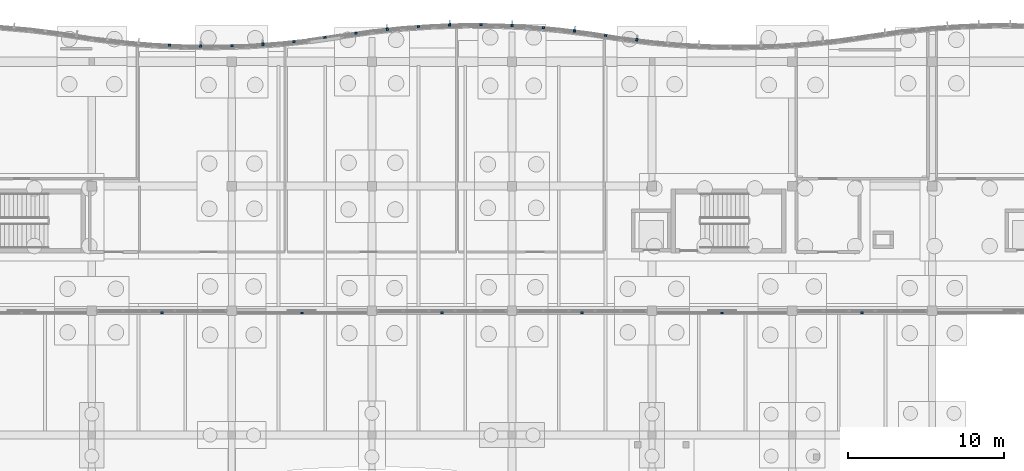
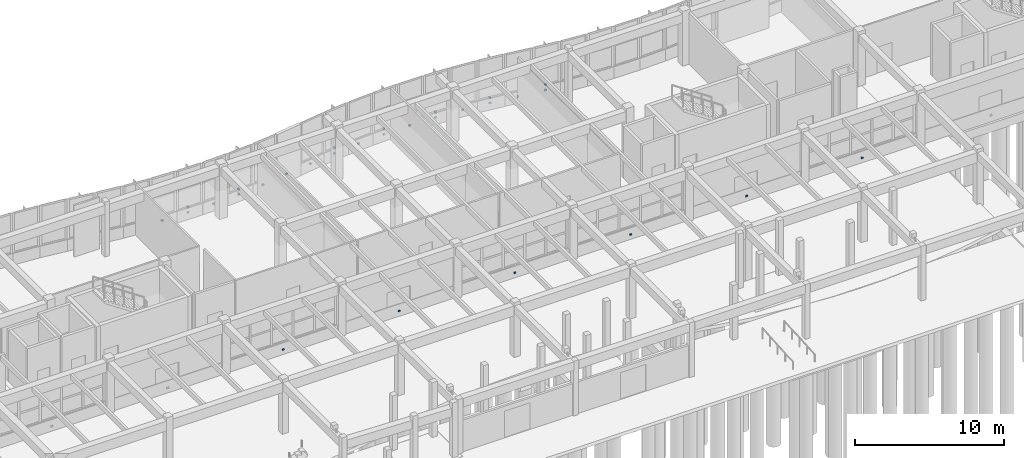
# One storey, part 81 of 99: 29 discrete accessories.
"""IFC4 building model written with IfcOpenShell, lengths in metres."""

from ifc_helpers import new_model, si_unit, direction, frame, origin, origin_2d, place, context, subcontext, project, spatial, rectangle, extrude, material, type_object, element, save


model = new_model("IFC4")

# Units and contexts
model_context = context("Model", 3, precision=1e-05, world=origin(), true_north=direction((0.0, 1.0)))
body_context = subcontext(model_context, "Body", "Model", "MODEL_VIEW")
ifc_project = project(units=[si_unit("LENGTHUNIT", "METRE"), si_unit("AREAUNIT", "SQUARE_METRE"), si_unit("VOLUMEUNIT", "CUBIC_METRE"), si_unit("PLANEANGLEUNIT", "RADIAN"), si_unit("MASSUNIT", "GRAM", prefix="KILO")], contexts=[model_context])

# Site, building, storey
site_placement = place(None, origin())
site = spatial("IfcSite", under=ifc_project, at=site_placement, CompositionType="ELEMENT")
building_placement = place(site_placement, origin())
building = spatial("IfcBuilding", under=site, at=building_placement, Name="Tonlespit Floodbar School", CompositionType="ELEMENT")
storey_placement = place(building_placement, origin())
storey = spatial("IfcBuildingStorey", under=building, at=storey_placement, Name="L00", CompositionType="ELEMENT", Elevation=0.0)

# Discrete accessories
ifc_material = material(Name="Galvanised Steel", Category="steel")
discrete_accessory_type = type_object("IfcDiscreteAccessoryType", Name="Bracket_Facade_S355", PredefinedType="BRACKET", material=ifc_material)
for number, where, z_axis, x_axis, name in (
    (1, (67.00634765625, 121.05029296875, 0.35498046875), (0.0, 0.0, 1.0), (0.998842769234, -0.048094930587, 0.0), "L00 white band support bracket 0012"),
    (2, (69.001220703125, 120.99267578125, 0.35498046875), (0.0, 0.0, 1.0), (0.999953926969, -0.009599163462, 0.0), "L00 white band support bracket 0013"),
):
    element("IfcDiscreteAccessory", number, at=place(storey_placement, frame(where, z_axis=z_axis, x_axis=x_axis)), inside=storey, type_object=discrete_accessory_type, Name=name, PredefinedType="BRACKET", context=body_context, shape_type="SweptSolid", body=[
        extrude(rectangle(XDim=0.159912109375, YDim=0.1201171875, at=origin_2d()), origin(), (0.0, 0.0, 1.0), 0.1201171875),
    ])
discrete_accessory_1_placement = place(storey_placement, frame((69.001220703125, 121.002685546875, 0.7802734375), z_axis=(0.0, 0.0, 1.0), x_axis=(0.999953926969, -0.009599163462, 0.0)))
element("IfcDiscreteAccessory", 3, at=discrete_accessory_1_placement, inside=storey, type_object=discrete_accessory_type, Name="Solar fin support bracket 007", PredefinedType="BRACKET", context=body_context, shape_type="SweptSolid", body=[
    extrude(rectangle(XDim=0.1201171875, YDim=0.179931640625, at=origin_2d()), origin(), (0.0, 0.0, 1.0), 0.139892578125),
])
for number, where, z_axis, x_axis, name in (
    (4, (70.996337890625, 121.01171875, 0.35498046875), (0.0, 0.0, 1.0), (0.999584110869, 0.02883756748, 0.0), "L00 white band support bracket 0014"),
    (5, (72.9912109375, 121.10791015625, 0.35498046875), (0.0, 0.0, 1.0), (0.997729639049, 0.067346621018, 0.0), "L00 white band support bracket 0015"),
):
    element("IfcDiscreteAccessory", number, at=place(storey_placement, frame(where, z_axis=z_axis, x_axis=x_axis)), inside=storey, type_object=discrete_accessory_type, Name=name, PredefinedType="BRACKET", context=body_context, shape_type="SweptSolid", body=[
        extrude(rectangle(XDim=0.159912109375, YDim=0.1201171875, at=origin_2d()), origin(), (0.0, 0.0, 1.0), 0.1201171875),
    ])
discrete_accessory_2_placement = place(storey_placement, frame((72.990478515625, 121.117919921875, 0.7802734375), z_axis=(0.0, 0.0, 1.0), x_axis=(0.997729639049, 0.067346621018, 0.0)))
element("IfcDiscreteAccessory", 6, at=discrete_accessory_2_placement, inside=storey, type_object=discrete_accessory_type, Name="Solar fin support bracket 008", PredefinedType="BRACKET", context=body_context, shape_type="SweptSolid", body=[
    extrude(rectangle(XDim=0.1201171875, YDim=0.179931640625, at=origin_2d()), origin(), (0.0, 0.0, 1.0), 0.139892578125),
])
for number, where, z_axis, x_axis, name in (
    (7, (74.986328125, 121.28125, 0.35498046875), (0.0, 0.0, 1.0), (0.99439234017, 0.105753835922, 0.0), "L00 white band support bracket 0016"),
    (8, (76.978515625, 121.552490234375, 0.3798828125), (0.0, 0.0, 1.0), (0.989537627347, 0.144275029245, 0.0), "L00 white band support bracket 0017"),
    (9, (78.981201171875, 121.824462890625, 0.35498046875), (0.0, 0.0, 1.0), (0.989537627347, 0.144275029245, 0.0), "L00 white band support bracket 0018"),
    (10, (80.986328125, 122.0771484375, 0.35498046875), (0.0, 0.0, 1.0), (0.99439234017, 0.105753835922, 0.0), "L00 white band support bracket 0019"),
):
    element("IfcDiscreteAccessory", number, at=place(storey_placement, frame(where, z_axis=z_axis, x_axis=x_axis)), inside=storey, type_object=discrete_accessory_type, Name=name, PredefinedType="BRACKET", context=body_context, shape_type="SweptSolid", body=[
        extrude(rectangle(XDim=0.159912109375, YDim=0.1201171875, at=origin_2d()), origin(), (0.0, 0.0, 1.0), 0.1201171875),
    ])
discrete_accessory_3_placement = place(storey_placement, frame((80.985107421875, 122.087158203125, 0.7802734375), z_axis=(0.0, 0.0, 1.0), x_axis=(0.99439234017, 0.105753835922, 0.0)))
element("IfcDiscreteAccessory", 11, at=discrete_accessory_3_placement, inside=storey, type_object=discrete_accessory_type, Name="Solar fin support bracket 009", PredefinedType="BRACKET", context=body_context, shape_type="SweptSolid", body=[
    extrude(rectangle(XDim=0.1201171875, YDim=0.179931640625, at=origin_2d()), origin(), (0.0, 0.0, 1.0), 0.139892578125),
])
for number, where, z_axis, x_axis, name in (
    (12, (82.9912109375, 122.25146484375, 0.35498046875), (0.0, 0.0, 1.0), (0.997729639049, 0.067346621018, 0.0), "L00 white band support bracket 0020"),
    (13, (84.996337890625, 122.34814453125, 0.35498046875), (0.0, 0.0, 1.0), (0.999584110869, 0.02883756748, 0.0), "L00 white band support bracket 0021"),
):
    element("IfcDiscreteAccessory", number, at=place(storey_placement, frame(where, z_axis=z_axis, x_axis=x_axis)), inside=storey, type_object=discrete_accessory_type, Name=name, PredefinedType="BRACKET", context=body_context, shape_type="SweptSolid", body=[
        extrude(rectangle(XDim=0.159912109375, YDim=0.1201171875, at=origin_2d()), origin(), (0.0, 0.0, 1.0), 0.1201171875),
    ])
discrete_accessory_4_placement = place(storey_placement, frame((84.99609375, 122.358154296875, 0.7802734375), z_axis=(0.0, 0.0, 1.0), x_axis=(0.999584110869, 0.02883756748, 0.0)))
element("IfcDiscreteAccessory", 14, at=discrete_accessory_4_placement, inside=storey, type_object=discrete_accessory_type, Name="Solar fin support bracket 010", PredefinedType="BRACKET", context=body_context, shape_type="SweptSolid", body=[
    extrude(rectangle(XDim=0.1201171875, YDim=0.179931640625, at=origin_2d()), origin(), (0.0, 0.0, 1.0), 0.139892578125),
])
for number, where, z_axis, x_axis, name in (
    (15, (87.001220703125, 122.367431640625, 0.35498046875), (0.0, 0.0, 1.0), (0.999953926969, -0.009599163462, 0.0), "L00 white band support bracket 0022"),
    (16, (89.00634765625, 122.3095703125, 0.35498046875), (0.0, 0.0, 1.0), (0.998842769234, -0.048094930587, 0.0), "L00 white band support bracket 0023"),
):
    element("IfcDiscreteAccessory", number, at=place(storey_placement, frame(where, z_axis=z_axis, x_axis=x_axis)), inside=storey, type_object=discrete_accessory_type, Name=name, PredefinedType="BRACKET", context=body_context, shape_type="SweptSolid", body=[
        extrude(rectangle(XDim=0.159912109375, YDim=0.1201171875, at=origin_2d()), origin(), (0.0, 0.0, 1.0), 0.1201171875),
    ])
discrete_accessory_5_placement = place(storey_placement, frame((89.006591796875, 122.319580078125, 0.7802734375), z_axis=(0.0, 0.0, 1.0), x_axis=(0.998842769234, -0.048094930587, 0.0)))
element("IfcDiscreteAccessory", 17, at=discrete_accessory_5_placement, inside=storey, type_object=discrete_accessory_type, Name="Solar fin support bracket 011", PredefinedType="BRACKET", context=body_context, shape_type="SweptSolid", body=[
    extrude(rectangle(XDim=0.1201171875, YDim=0.179931640625, at=origin_2d()), origin(), (0.0, 0.0, 1.0), 0.139892578125),
])
for number, where, z_axis, x_axis, name in (
    (18, (91.01123046875, 122.174072265625, 0.35498046875), (0.0, 0.0, 1.0), (0.996245486492, -0.086573267488, 0.0), "L00 white band support bracket 0024"),
    (19, (93.016357421875, 121.960693359375, 0.35498046875), (0.0, 0.0, 1.0), (0.99215533612, -0.125011155539, 0.0), "L00 white band support bracket 0025"),
):
    element("IfcDiscreteAccessory", number, at=place(storey_placement, frame(where, z_axis=z_axis, x_axis=x_axis)), inside=storey, type_object=discrete_accessory_type, Name=name, PredefinedType="BRACKET", context=body_context, shape_type="SweptSolid", body=[
        extrude(rectangle(XDim=0.159912109375, YDim=0.1201171875, at=origin_2d()), origin(), (0.0, 0.0, 1.0), 0.1201171875),
    ])
discrete_accessory_6_placement = place(storey_placement, frame((93.017578125, 121.970703125, 0.7802734375), z_axis=(0.0, 0.0, 1.0), x_axis=(0.99215533612, -0.125011155539, 0.0)))
element("IfcDiscreteAccessory", 20, at=discrete_accessory_6_placement, inside=storey, type_object=discrete_accessory_type, Name="Solar fin support bracket 012", PredefinedType="BRACKET", context=body_context, shape_type="SweptSolid", body=[
    extrude(rectangle(XDim=0.1201171875, YDim=0.179931640625, at=origin_2d()), origin(), (0.0, 0.0, 1.0), 0.139892578125),
])
for number, where, z_axis, x_axis, name in (
    (21, (95.02001953125, 121.678466796875, 0.35498046875), (0.0, 0.0, 1.0), (0.988094768361, -0.153846445322, 0.0), "L00 white band support bracket 0026"),
    (22, (97.016357421875, 121.397216796875, 0.35498046875), (0.0, 0.0, 1.0), (0.99215533612, -0.125011155539, 0.0), "L00 white band support bracket 0027"),
):
    element("IfcDiscreteAccessory", number, at=place(storey_placement, frame(where, z_axis=z_axis, x_axis=x_axis)), inside=storey, type_object=discrete_accessory_type, Name=name, PredefinedType="BRACKET", context=body_context, shape_type="SweptSolid", body=[
        extrude(rectangle(XDim=0.159912109375, YDim=0.1201171875, at=origin_2d()), origin(), (0.0, 0.0, 1.0), 0.1201171875),
    ])
discrete_accessory_7_placement = place(storey_placement, frame((97.017578125, 121.4072265625, 0.7802734375), z_axis=(0.0, 0.0, 1.0), x_axis=(0.99215533612, -0.125011155539, 0.0)))
element("IfcDiscreteAccessory", 23, at=discrete_accessory_7_placement, inside=storey, type_object=discrete_accessory_type, Name="Solar fin support bracket 013", PredefinedType="BRACKET", context=body_context, shape_type="SweptSolid", body=[
    extrude(rectangle(XDim=0.1201171875, YDim=0.179931640625, at=origin_2d()), origin(), (0.0, 0.0, 1.0), 0.139892578125),
])
for number, where, z_axis, x_axis, name in (
    (24, (111.5, 103.8701171875, 0.35498046875), (0.0, 0.0, 1.0), (-1.0, 0.0, 0.0), "L00 white band support bracket 0037"),
    (25, (102.5, 103.85009765625, 0.3798828125), (0.0, 0.0, 1.0), (-1.0, 0.0, 0.0), "L00 white band support bracket 0038"),
    (26, (93.5, 103.8701171875, 0.35498046875), (0.0, 0.0, 1.0), (-1.0, 0.0, 0.0), "L00 white band support bracket 0039"),
    (27, (84.5, 103.8701171875, 0.35498046875), (0.0, 0.0, 1.0), (-1.0, 0.0, 0.0), "L00 white band support bracket 0040"),
    (28, (75.5, 103.85009765625, 0.3798828125), (0.0, 0.0, 1.0), (-1.0, 0.0, 0.0), "L00 white band support bracket 0041"),
    (29, (66.5, 103.8701171875, 0.35498046875), (0.0, 0.0, 1.0), (-1.0, 0.0, 0.0), "L00 white band support bracket 0042"),
):
    element("IfcDiscreteAccessory", number, at=place(storey_placement, frame(where, z_axis=z_axis, x_axis=x_axis)), inside=storey, type_object=discrete_accessory_type, Name=name, PredefinedType="BRACKET", context=body_context, shape_type="SweptSolid", body=[
        extrude(rectangle(XDim=0.159912109375, YDim=0.1201171875, at=origin_2d()), origin(), (0.0, 0.0, 1.0), 0.1201171875),
    ])

save(model, "model.ifc")
